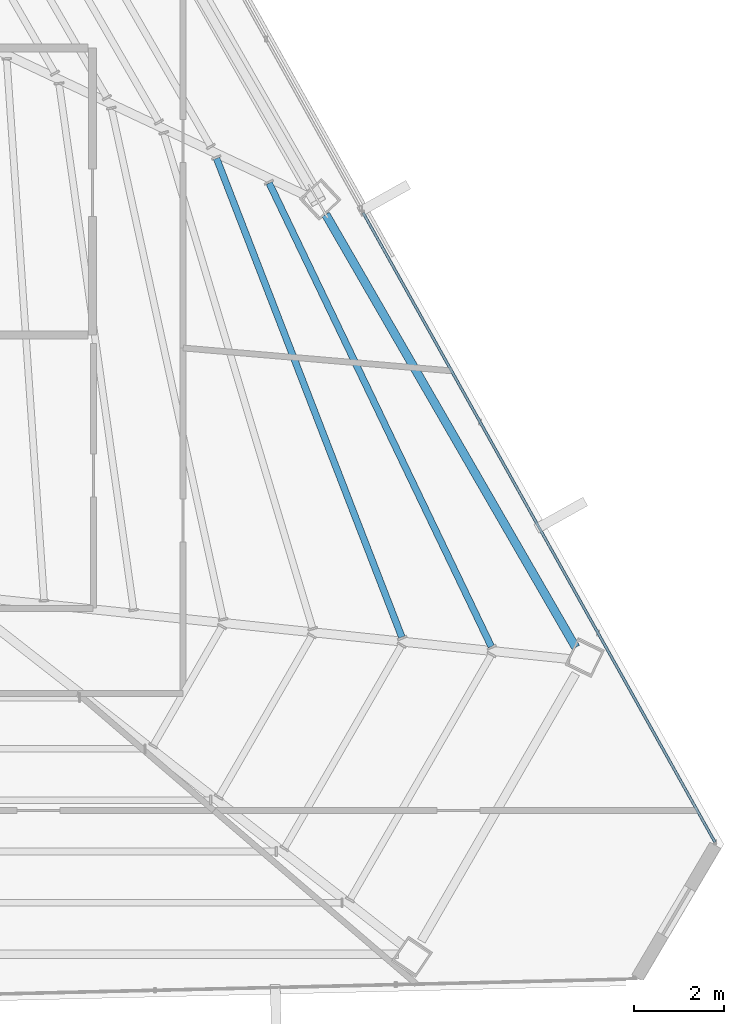
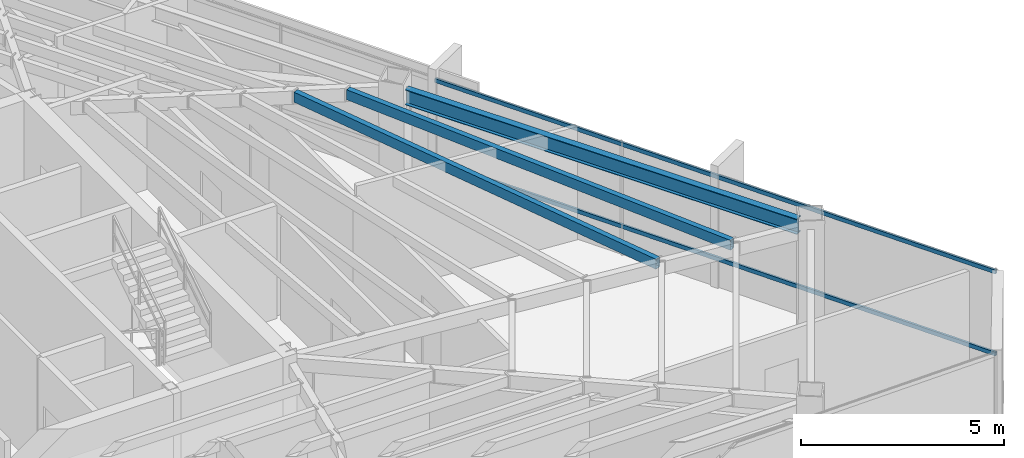
# One storey, part 24 of 47: 3 beams, 2 members, 1 element without a shape of its own.
"""IFC4 building model written with IfcOpenShell, lengths in metres."""

from ifc_helpers import new_model, si_unit, direction, frame, origin, origin_2d, place, context, subcontext, project, spatial, hollow_rectangle, i_section, extrude, source, transform, mapped, material, material_profile, profile_set, type_object, type_shapes, element, aggregate, save


model = new_model("IFC4")

# Units and contexts
model_context = context("Model", 3, precision=1e-05, world=origin(), true_north=direction((0.0, 1.0)))
body_context = subcontext(model_context, "Body", "Model", "MODEL_VIEW")
ifc_project = project(units=[si_unit("LENGTHUNIT", "METRE"), si_unit("AREAUNIT", "SQUARE_METRE"), si_unit("VOLUMEUNIT", "CUBIC_METRE"), si_unit("PLANEANGLEUNIT", "RADIAN"), si_unit("MASSUNIT", "GRAM", prefix="KILO")], contexts=[model_context])

# Site, building, storey
site_placement = place(None, origin())
site = spatial("IfcSite", under=ifc_project, at=site_placement, CompositionType="ELEMENT")
building_placement = place(site_placement, origin())
building = spatial("IfcBuilding", under=site, at=building_placement, Name="Caelisora Broadcast Tower", CompositionType="ELEMENT")
storey_placement = place(building_placement, frame((0.0, 0.0, 255.39990234375)))
storey = spatial("IfcBuildingStorey", under=building, at=storey_placement, Name="L67", CompositionType="ELEMENT", Elevation=255.39990234375)

# Beams
ifc_material_1 = material(Name="Steel Grade 350 (AS/NZS 3679.1)", Category="steel")
ifc_material_profile_1 = material_profile(ifc_material_1, i_section(OverallWidth=0.19091796875, OverallDepth=0.46044921875, WebThickness=0.010009765625, FlangeThickness=0.01611328125, at=origin_2d()), Name="Steel Grade 350 (AS/NZS 3679.1)")
ifc_profile_set_1 = profile_set([ifc_material_profile_1], Name="Steel Grade 350 (AS/NZS 3679.1)")
beam_type_1 = type_object("IfcBeamType", Name="PG06", PredefinedType="BEAM", material=ifc_profile_set_1)
shared_shape_1 = source(origin(), body_context, "Body", "SweptSolid", [
    extrude(i_section(OverallWidth=0.19091796875, OverallDepth=0.46044921875, WebThickness=0.010009765625, FlangeThickness=0.01611328125, at=origin_2d()), origin(), (0.0, 0.0, 1.0), 11.156982421875),
])
type_shapes(beam_type_1, [shared_shape_1])
beam_1_placement = place(storey_placement, frame((59.36328125, 16.22900390625, 3.169921875), z_axis=(-0.500012895461, 0.866017958458, 0.0), x_axis=(-0.866017958458, -0.500012895461, 0.0)))
element("IfcBeam", 1, at=beam_1_placement, inside=storey, type_object=beam_type_1, Name="L67 beam PG06", PredefinedType="BEAM", context=body_context, shape_type="MappedRepresentation", body=[
    mapped(shared_shape_1, transform((0.0, 0.0, 0.0), scale=1.0)),
])
ifc_material_2 = material(Name="Steel Grade 350 (AS/NZS 1163 C350L0)", Category="steel")
ifc_material_profile_2 = material_profile(ifc_material_2, hollow_rectangle(XDim=0.14990234375, YDim=0.300048828125, WallThickness=0.010009765625, at=origin_2d()), Name="Steel Grade 350 (AS/NZS 1163 C350L0)")
ifc_profile_set_2 = profile_set([ifc_material_profile_2], Name="Steel Grade 350 (AS/NZS 1163 C350L0)")
beam_type_2 = type_object("IfcBeamType", Name="SB05", PredefinedType="JOIST", material=ifc_profile_set_2)
shared_shape_2 = source(origin(), body_context, "Body", "SweptSolid", [
    extrude(hollow_rectangle(XDim=0.14990234375, YDim=0.300048828125, WallThickness=0.010009765625, at=origin_2d()), origin(), (0.0, 0.0, 1.0), 11.46630859375),
])
beam_2_placement = place(storey_placement, frame((57.478271484375, 16.24853515625, 3.25), z_axis=(-0.432118376671, 0.901816893024, 0.0), x_axis=(-0.901816893024, -0.432118376671, 0.0)))
element("IfcBeam", 2, at=beam_2_placement, inside=storey, type_object=beam_type_2, Name="L67 beam SB05", PredefinedType="JOIST", context=body_context, shape_type="MappedRepresentation", body=[
    mapped(shared_shape_2, transform((0.0, 0.0, 0.0), scale=1.0)),
])
shared_shape_3 = source(origin(), body_context, "Body", "SweptSolid", [
    extrude(hollow_rectangle(XDim=0.14990234375, YDim=0.300048828125, WallThickness=0.010009765625, at=origin_2d()), origin(), (0.0, 0.0, 1.0), 11.4580078125),
])
type_shapes(beam_type_2, [shared_shape_2, shared_shape_3])
beam_3_placement = place(storey_placement, frame((55.483642578125, 16.456298828125, 3.25), z_axis=(-0.360922968179, 0.932595631043, 0.0), x_axis=(-0.932595631043, -0.360922968179, 0.0)))
element("IfcBeam", 3, at=beam_3_placement, inside=storey, type_object=beam_type_2, Name="L67 beam SB05", PredefinedType="JOIST", context=body_context, shape_type="MappedRepresentation", body=[
    mapped(shared_shape_3, transform((0.0, 0.0, 0.0), scale=1.0)),
])

# Curtain wall, members
ifc_material_3 = material(Name="Unitised Aluminium and Low-E Glass Curtain Wall", Category="glass")
curtain_wall_type = type_object("IfcCurtainWallType", Name="CW-Z5", PredefinedType="NOTDEFINED", material=ifc_material_3)
curtain_wall_placement = place(storey_placement, origin())
curtain_wall = element("IfcCurtainWall", 4, at=curtain_wall_placement, inside=storey, type_object=curtain_wall_type, Name="L67 curtain wall CW-Z5", PredefinedType="NOTDEFINED")
ifc_material_4 = material(Name="Aluminium 6063-T6 Anodised Terracotta Bronze", Category="aluminium")
ifc_material_profile_3 = material_profile(ifc_material_4, hollow_rectangle(XDim=0.06005859375, YDim=0.1201171875, WallThickness=0.0029296875, at=origin_2d()), Name="Aluminium 6063-T6 Anodised Terracotta Bronze")
ifc_profile_set_3 = profile_set([ifc_material_profile_3], Name="Aluminium 6063-T6 Anodised Terracotta Bronze")
member_type = type_object("IfcMemberType", Name="CWT-03", PredefinedType="USERDEFINED", material=ifc_profile_set_3)
shared_shape_4 = source(origin(), body_context, "Body", "SweptSolid", [
    extrude(hollow_rectangle(XDim=0.06005859375, YDim=0.1201171875, WallThickness=0.0029296875, at=origin_2d()), origin(), (0.0, 0.0, 1.0), 16.09228515625),
])
type_shapes(member_type, [shared_shape_4])
member_1_placement = place(storey_placement, frame((54.61865234375, 25.92822265625, 0.85009765625), z_axis=(0.487937982978, -0.872878298944, 0.0), x_axis=(0.872878298944, 0.487937982978, 0.0)))
member_1 = element("IfcMember", 5, at=member_1_placement, type_object=member_type, Name="L67-CW-B03 transom #1", ObjectType="TRANSOM", PredefinedType="USERDEFINED", context=body_context, shape_type="MappedRepresentation", body=[
    mapped(shared_shape_4, transform((0.0, 0.0, 0.0), scale=1.0)),
])
member_2_placement = place(storey_placement, frame((54.61865234375, 25.92822265625, 3.320068359375), z_axis=(0.487937982978, -0.872878298944, 0.0), x_axis=(0.872878298944, 0.487937982978, 0.0)))
member_2 = element("IfcMember", 6, at=member_2_placement, type_object=member_type, Name="L67-CW-B03 transom #2", ObjectType="TRANSOM", PredefinedType="USERDEFINED", context=body_context, shape_type="MappedRepresentation", body=[
    mapped(shared_shape_4, transform((0.0, 0.0, 0.0), scale=1.0)),
])
aggregate(curtain_wall, [member_1, member_2])

save(model, "model.ifc")
